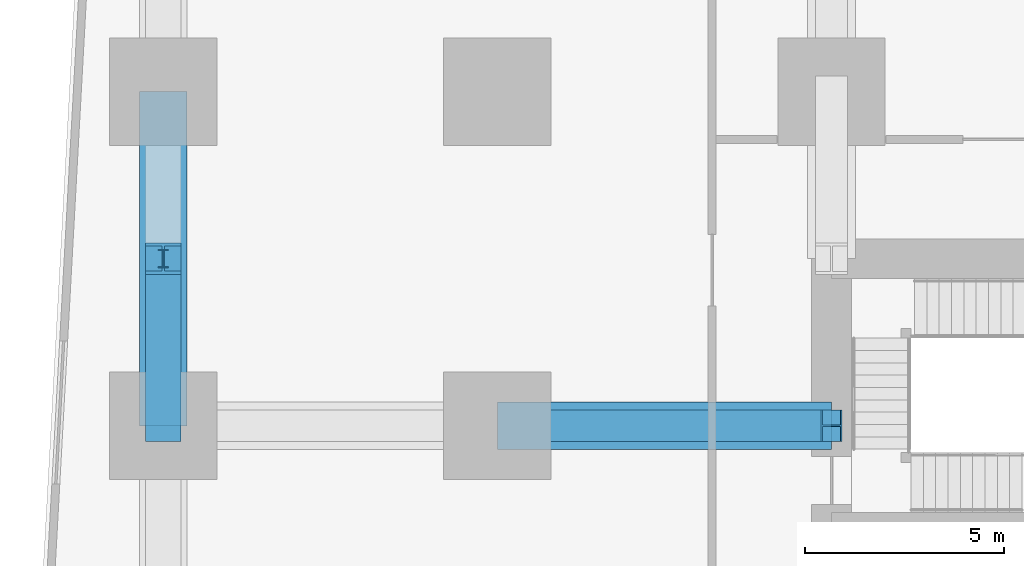
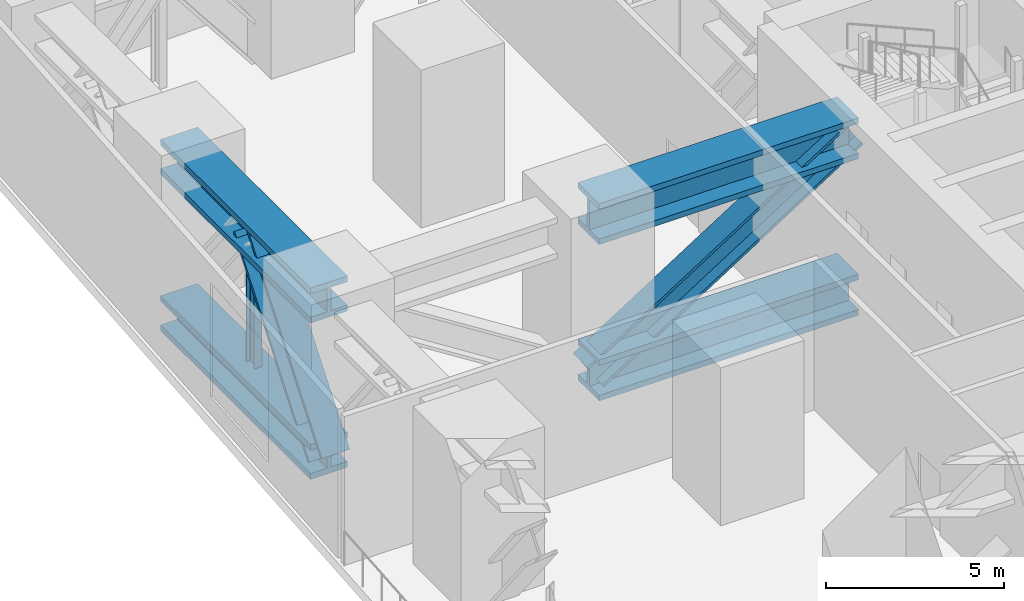
# One storey, part 3 of 16: 7 members.
"""IFC4 building model written with IfcOpenShell, lengths in metres."""

from ifc_helpers import new_model, si_unit, direction, frame, origin, origin_2d, place, context, subcontext, project, spatial, i_section, extrude, material, material_profile, profile_set, type_object, element, save


model = new_model("IFC4")

# Units and contexts
model_context = context("Model", 3, precision=1e-05, world=origin(), true_north=direction((0.0, 1.0)))
body_context = subcontext(model_context, "Body", "Model", "MODEL_VIEW")
ifc_project = project(units=[si_unit("LENGTHUNIT", "METRE"), si_unit("AREAUNIT", "SQUARE_METRE"), si_unit("VOLUMEUNIT", "CUBIC_METRE"), si_unit("PLANEANGLEUNIT", "RADIAN"), si_unit("MASSUNIT", "GRAM", prefix="KILO")], contexts=[model_context])

# Site, building, storey
site_placement = place(None, origin())
site = spatial("IfcSite", under=ifc_project, at=site_placement, CompositionType="ELEMENT")
building_placement = place(site_placement, origin())
building = spatial("IfcBuilding", under=site, at=building_placement, Name="Rekha Terrace Tower", CompositionType="ELEMENT")
storey_placement = place(building_placement, frame((0.0, 0.0, 162.800048828125)))
storey = spatial("IfcBuildingStorey", under=building, at=storey_placement, Name="L41", CompositionType="ELEMENT", Elevation=162.800048828125)

# Members
ifc_material = material(Name="Steel E350", Category="steel")
ifc_material_profile_1 = material_profile(ifc_material, i_section(OverallWidth=1.199951171875, OverallDepth=1.199951171875, WebThickness=0.1298828125, FlangeThickness=0.199951171875, at=origin_2d()), Name="BU 1200x1200x130x200")
ifc_profile_set_1 = profile_set([ifc_material_profile_1], Name="Steel E350")
member_type_1 = type_object("IfcMemberType", Name="BC41 BU 1200x1200x130x200 belt truss chord", PredefinedType="CHORD", material=ifc_profile_set_1)
for number, where, z_axis, x_axis, name in (
    (1, (8.39990234375, 50.39990234375, 4.300048828125), (0.0, -1.0, 0.0), (1.0, 0.0, 0.0), "Belt top chord 2G-2F L41"),
    (2, (8.39990234375, 50.39990234375, -1.050048828125), (0.0, -1.0, 0.0), (1.0, 0.0, 0.0), "Belt bottom chord 2G-2F L41"),
):
    element("IfcMember", number, at=place(storey_placement, frame(where, z_axis=z_axis, x_axis=x_axis)), inside=storey, type_object=member_type_1, Name=name, PredefinedType="CHORD", context=body_context, shape_type="SweptSolid", body=[
        extrude(i_section(OverallWidth=1.199951171875, OverallDepth=1.199951171875, WebThickness=0.1298828125, FlangeThickness=0.199951171875, at=origin_2d()), origin(), (0.0, 0.0, 1.0), 8.39990234375),
    ])
ifc_material_profile_2 = material_profile(ifc_material, i_section(OverallWidth=0.89990234375, OverallDepth=1.0, WebThickness=0.06005859375, FlangeThickness=0.10009765625, at=origin_2d()), Name="BU 1000x900x60x100")
ifc_profile_set_2 = profile_set([ifc_material_profile_2], Name="Steel E350")
member_type_2 = type_object("IfcMemberType", Name="BD41 BU 1000x900x60x100 belt truss diagonal", PredefinedType="BRACE", material=ifc_profile_set_2)
member_1_placement = place(storey_placement, frame((8.39990234375, 42.0, -1.050048828125), z_axis=(0.0, 0.617485427507, 0.786582320432), x_axis=(-1.0, 0.0, 0.0)))
element("IfcMember", 3, at=member_1_placement, inside=storey, type_object=member_type_2, Name="Belt diagonal 2G-2F L41", PredefinedType="BRACE", context=body_context, shape_type="SweptSolid", body=[
    extrude(i_section(OverallWidth=0.89990234375, OverallDepth=1.0, WebThickness=0.06005859375, FlangeThickness=0.10009765625, at=origin_2d()), origin(), (0.0, 0.0, 1.0), 6.8017578125),
])
ifc_material_profile_3 = material_profile(ifc_material, i_section(OverallWidth=0.25, OverallDepth=0.449951171875, WebThickness=0.01123046875, FlangeThickness=0.017333984375, FilletRadius=0.014892578125, at=origin_2d()), Name="ISHB 450")
ifc_profile_set_3 = profile_set([ifc_material_profile_3], Name="Steel E350")
member_type_3 = type_object("IfcMemberType", Name="BV41 ISHB 450 belt truss post", PredefinedType="POST", material=ifc_profile_set_3)
member_2_placement = place(storey_placement, frame((8.39990234375, 46.199951171875, -0.449951171875), z_axis=(0.0, 0.0, 1.0), x_axis=(1.0, 0.0, 0.0)))
element("IfcMember", 4, at=member_2_placement, inside=storey, type_object=member_type_3, Name="Belt post 2G-2F L41", PredefinedType="POST", context=body_context, shape_type="SweptSolid", body=[
    extrude(i_section(OverallWidth=0.25, OverallDepth=0.449951171875, WebThickness=0.01123046875, FlangeThickness=0.017333984375, FilletRadius=0.014892578125, at=origin_2d()), origin(), (0.0, 0.0, 1.0), 4.14990234375),
])
ifc_material_profile_4 = material_profile(ifc_material, i_section(OverallWidth=1.199951171875, OverallDepth=1.39990234375, WebThickness=0.139892578125, FlangeThickness=0.18994140625, at=origin_2d()), Name="BU 1400x1200x140x190")
ifc_profile_set_4 = profile_set([ifc_material_profile_4], Name="Steel E350")
member_type_4 = type_object("IfcMemberType", Name="OC41 BU 1400x1200x140x190 outrigger chord", PredefinedType="CHORD", material=ifc_profile_set_4)
for number, where, z_axis, x_axis, name in (
    (5, (25.199951171875, 42.0, 4.300048828125), (-1.0, 0.0, 0.0), (0.0, -1.0, 0.0), "Outrigger top chord WF-1 L41"),
    (6, (25.199951171875, 42.0, -1.050048828125), (-1.0, 0.0, 0.0), (0.0, -1.0, 0.0), "Outrigger bottom chord WF-1 L41"),
):
    element("IfcMember", number, at=place(storey_placement, frame(where, z_axis=z_axis, x_axis=x_axis)), inside=storey, type_object=member_type_4, Name=name, PredefinedType="CHORD", context=body_context, shape_type="SweptSolid", body=[
        extrude(i_section(OverallWidth=1.199951171875, OverallDepth=1.39990234375, WebThickness=0.139892578125, FlangeThickness=0.18994140625, at=origin_2d()), origin(), (0.0, 0.0, 1.0), 8.39990234375),
    ])
ifc_material_profile_5 = material_profile(ifc_material, i_section(OverallWidth=0.800048828125, OverallDepth=1.0, WebThickness=0.050048828125, FlangeThickness=0.090087890625, at=origin_2d()), Name="BU 1000x800x50x90")
ifc_profile_set_5 = profile_set([ifc_material_profile_5], Name="Steel E350")
member_type_5 = type_object("IfcMemberType", Name="OD41 BU 1000x800x50x90 outrigger diagonal", PredefinedType="BRACE", material=ifc_profile_set_5)
member_3_placement = place(storey_placement, frame((25.199951171875, 42.0, 4.300048828125), z_axis=(-0.843447423157, 0.0, -0.537211731415), x_axis=(0.0, -1.0, 0.0)))
element("IfcMember", 7, at=member_3_placement, inside=storey, type_object=member_type_5, Name="Outrigger diagonal WF-1 L41", PredefinedType="BRACE", context=body_context, shape_type="SweptSolid", body=[
    extrude(i_section(OverallWidth=0.800048828125, OverallDepth=1.0, WebThickness=0.050048828125, FlangeThickness=0.090087890625, at=origin_2d()), origin(), (0.0, 0.0, 1.0), 9.958984375),
])

save(model, "model.ifc")
